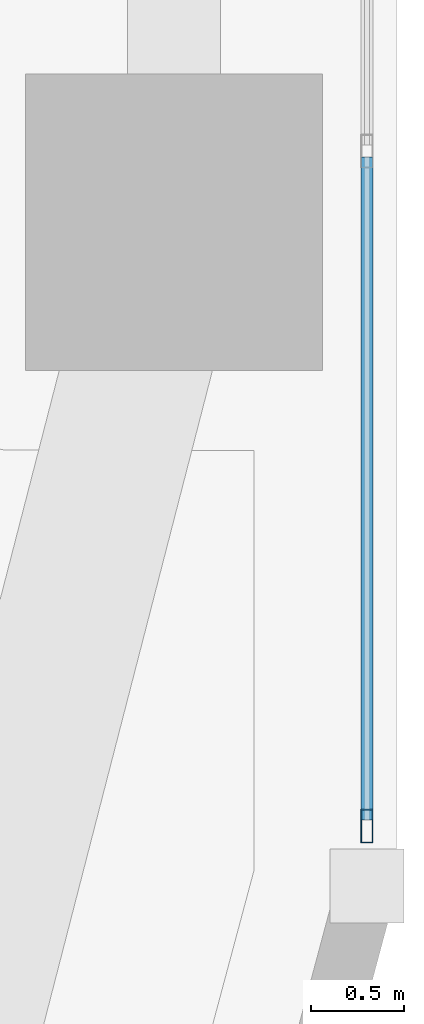
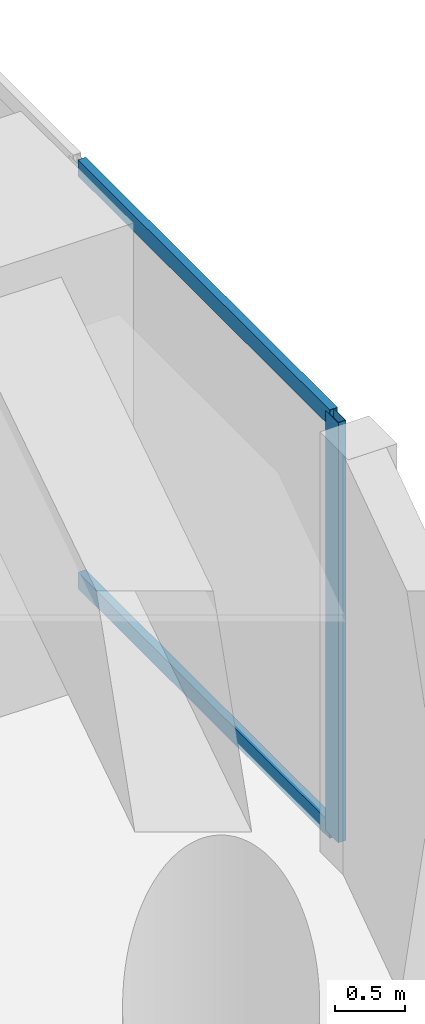
# One storey, part 4 of 28: 3 members, 1 element without a shape of its own.
"""IFC4 building model written with IfcOpenShell, lengths in metres."""

from ifc_helpers import new_model, si_unit, direction, frame, origin, origin_2d, place, context, subcontext, project, spatial, hollow_rectangle, extrude, material, layer, layer_set, material_profile, profile_set, type_object, element, aggregate, save


model = new_model("IFC4")

# Units and contexts
model_context = context("Model", 3, precision=1e-05, world=origin(), true_north=direction((0.0, 1.0)))
body_context = subcontext(model_context, "Body", "Model", "MODEL_VIEW")
ifc_project = project(units=[si_unit("LENGTHUNIT", "METRE"), si_unit("AREAUNIT", "SQUARE_METRE"), si_unit("VOLUMEUNIT", "CUBIC_METRE"), si_unit("PLANEANGLEUNIT", "RADIAN"), si_unit("MASSUNIT", "GRAM", prefix="KILO")], contexts=[model_context])

# Site, building, storey
site_placement = place(None, origin())
site = spatial("IfcSite", under=ifc_project, at=site_placement, CompositionType="ELEMENT")
building_placement = place(site_placement, origin())
building = spatial("IfcBuilding", under=site, at=building_placement, Name="Kiyonajd Concourse Tower", CompositionType="ELEMENT")
storey_placement = place(building_placement, frame((0.0, 0.0, 60.60009765625)))
storey = spatial("IfcBuildingStorey", under=building, at=storey_placement, Name="L16", CompositionType="ELEMENT", Elevation=60.60009765625)

# Curtain wall, members
ifc_material = material(Name="Thermally Broken Anodised Aluminium", Category="aluminium")
ifc_layer = layer(ifc_material, 0.179931640625)
ifc_layer_set = layer_set([ifc_layer], Name="Thermally Broken Anodised Aluminium")
curtain_wall_type = type_object("IfcCurtainWallType", Name="CW-SYS-02", PredefinedType="NOTDEFINED", material=ifc_layer_set)
curtain_wall_placement = place(storey_placement, origin())
curtain_wall = element("IfcCurtainWall", 1, at=curtain_wall_placement, inside=storey, type_object=curtain_wall_type, Name="L16 Unitised Curtain Wall CW2", PredefinedType="NOTDEFINED")
ifc_material_profile_1 = material_profile(ifc_material, hollow_rectangle(XDim=0.06494140625, YDim=0.179931640625, WallThickness=0.00390625, at=origin_2d()), Name="MULL-65x180")
ifc_profile_set_1 = profile_set([ifc_material_profile_1], Name="Thermally Broken Anodised Aluminium")
member_type_1 = type_object("IfcMemberType", Name="MB-CW-MULL1", PredefinedType="MULLION", material=ifc_profile_set_1)
member_1_placement = place(storey_placement, frame((79.0400390625, 15.343505859375, 0.0), z_axis=(0.0, 0.0, 1.0), x_axis=(1.0, 0.0, 0.0)))
member_1 = element("IfcMember", 2, at=member_1_placement, type_object=member_type_1, Name="CW2 mullion 7", PredefinedType="MULLION", context=body_context, shape_type="SweptSolid", body=[
    extrude(hollow_rectangle(XDim=0.06494140625, YDim=0.179931640625, WallThickness=0.00390625, at=origin_2d()), origin(), (0.0, 0.0, 1.0), 3.639892578125),
])
ifc_material_profile_2 = material_profile(ifc_material, hollow_rectangle(XDim=0.06494140625, YDim=0.139892578125, WallThickness=0.00390625, at=origin_2d()), Name="TRAN-65x140")
ifc_profile_set_2 = profile_set([ifc_material_profile_2], Name="Thermally Broken Anodised Aluminium")
member_type_2 = type_object("IfcMemberType", Name="MB-CW-TRAN1", PredefinedType="USERDEFINED", material=ifc_profile_set_2)
member_2_placement = place(storey_placement, frame((79.0400390625, 18.95166015625, 0.032470703125), z_axis=(0.0, -1.0, 0.0), x_axis=(1.0, 0.0, 0.0)))
member_2 = element("IfcMember", 3, at=member_2_placement, type_object=member_type_2, Name="CW2 transom 6.1", ObjectType="TRANSOM", PredefinedType="USERDEFINED", context=body_context, shape_type="SweptSolid", body=[
    extrude(hollow_rectangle(XDim=0.06494140625, YDim=0.139892578125, WallThickness=0.00390625, at=origin_2d()), origin(), (0.0, 0.0, 1.0), 3.575439453125),
])
member_3_placement = place(storey_placement, frame((79.0400390625, 18.95166015625, 3.607421875), z_axis=(0.0, -1.0, 0.0), x_axis=(1.0, 0.0, 0.0)))
member_3 = element("IfcMember", 4, at=member_3_placement, type_object=member_type_2, Name="CW2 transom 6.2", ObjectType="TRANSOM", PredefinedType="USERDEFINED", context=body_context, shape_type="SweptSolid", body=[
    extrude(hollow_rectangle(XDim=0.06494140625, YDim=0.139892578125, WallThickness=0.00390625, at=origin_2d()), origin(), (0.0, 0.0, 1.0), 3.575439453125),
])
aggregate(curtain_wall, [member_1, member_2, member_3])

save(model, "model.ifc")
